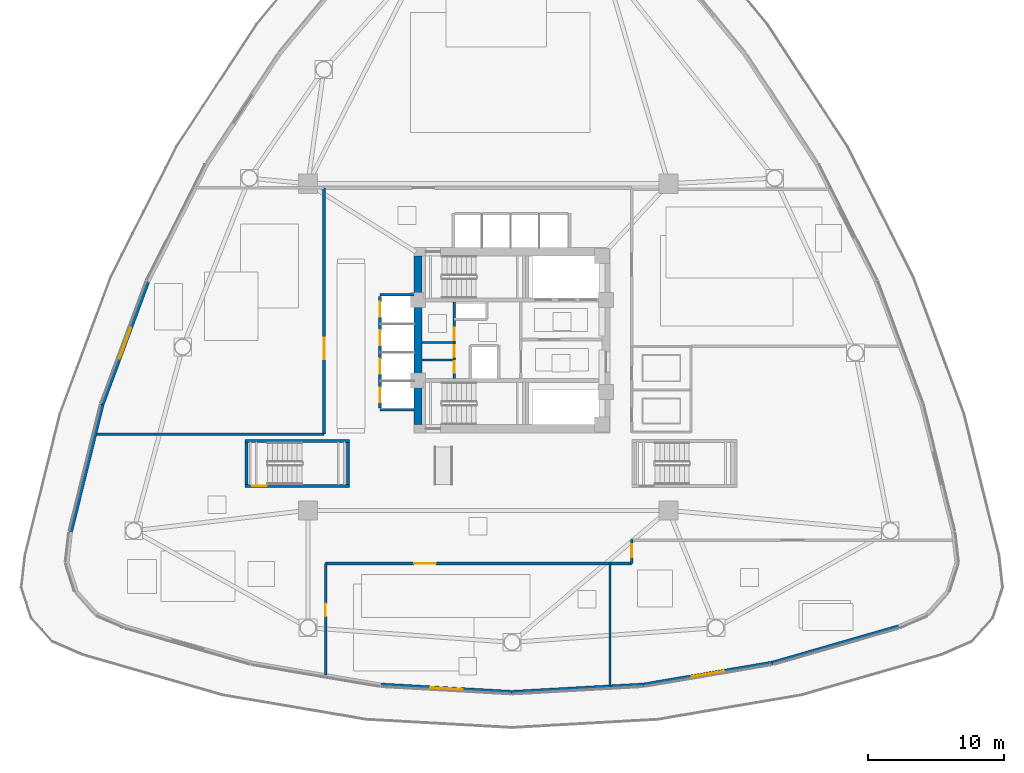
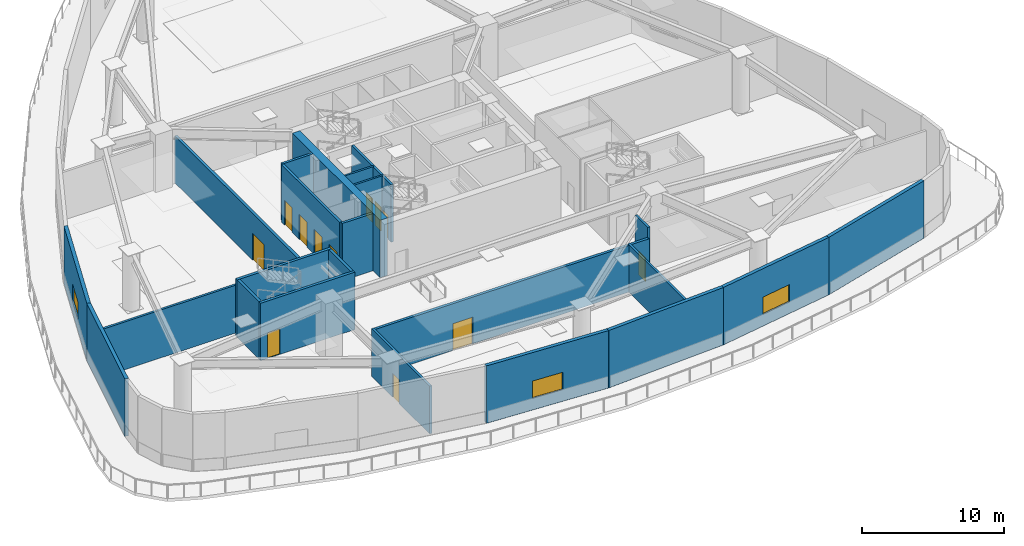
# One storey, part 3 of 13: 23 walls, 12 doors, 3 windows, 15 openings.
"""IFC4 building model written with IfcOpenShell, lengths in metres."""

from ifc_helpers import new_model, si_unit, direction, frame, frame_2d, origin, place, context, subcontext, project, spatial, rectangle, extrude, material, layer, layer_set, type_object, element, fill, save


model = new_model("IFC4")

# Units and contexts
model_context = context("Model", 3, precision=1e-05, world=origin(), true_north=direction((0.0, 1.0)))
body_context = subcontext(model_context, "Body", "Model", "MODEL_VIEW")
ifc_project = project(units=[si_unit("LENGTHUNIT", "METRE"), si_unit("AREAUNIT", "SQUARE_METRE"), si_unit("VOLUMEUNIT", "CUBIC_METRE"), si_unit("PLANEANGLEUNIT", "RADIAN"), si_unit("MASSUNIT", "GRAM", prefix="KILO")], contexts=[model_context])

# Site, building, storey
site_placement = place(None, origin())
site = spatial("IfcSite", under=ifc_project, at=site_placement, CompositionType="ELEMENT")
building_placement = place(site_placement, origin())
building = spatial("IfcBuilding", under=site, at=building_placement, Name="Tavelor Broadcast Tower", CompositionType="ELEMENT")
storey_placement = place(building_placement, frame((0.0, 0.0, 16.800048828125)))
storey = spatial("IfcBuildingStorey", under=building, at=storey_placement, Name="L03", CompositionType="ELEMENT", Elevation=16.800048828125)

# Wall
ifc_material_1 = material(Name="Concrete C60/75", Category="concrete")
ifc_layer_1 = layer(ifc_material_1, 0.60009765625)
ifc_layer_set_1 = layer_set([ifc_layer_1], Name="Concrete C60/75")
wall_type_1 = type_object("IfcWallType", Name="Core Shear Wall 600 mm", PredefinedType="SHEAR", material=ifc_layer_set_1)
wall_1_placement = place(storey_placement, frame((43.10009765625, 38.800048828125, 0.0), z_axis=(0.0, 0.0, 1.0), x_axis=(0.0, 1.0, 0.0)))
element("IfcWall", 1, at=wall_1_placement, inside=storey, type_object=wall_type_1, Name="L03 Central Core Shear Wall W", PredefinedType="SHEAR", context=body_context, shape_type="SweptSolid", body=[
    extrude(rectangle(XDim=12.39990234375, YDim=0.60009765625, at=frame_2d((6.199951171875, 0.0))), origin(), (0.0, 0.0, 1.0), 4.949951171875),
])

# Wall, openings, doors
ifc_material_2 = material(Name="Calcium Silicate Fire Board 180 mm", Category="gypsum")
ifc_layer_2 = layer(ifc_material_2, 0.179931640625)
ifc_layer_set_2 = layer_set([ifc_layer_2], Name="Calcium Silicate Fire Board 180 mm")
wall_type_2 = type_object("IfcWallType", Name="Fire-Rated Corridor Partition Wall 180 mm", PredefinedType="PARTITIONING", material=ifc_layer_set_2)
wall_2_placement = place(storey_placement, frame((45.75, 42.199951171875, 0.0), z_axis=(0.0, 0.0, 1.0), x_axis=(0.0, 1.0, 0.0)))
wall_2 = element("IfcWall", 2, at=wall_2_placement, inside=storey, type_object=wall_type_2, Name="L03 Core West Service East Wall", PredefinedType="PARTITIONING", context=body_context, shape_type="SweptSolid", body=[
    extrude(rectangle(XDim=5.60009765625, YDim=0.179931640625, at=frame_2d((2.800048828125, 0.0))), origin(), (0.0, 0.0, 1.0), 4.949951171875),
])
opening_1_placement = place(wall_2_placement, frame((0.419921875, 0.0, 0.0)))
opening_1 = element("IfcOpeningElement", 3, at=opening_1_placement, cuts=wall_2, Name="Opening DR36", PredefinedType="OPENING", context=body_context, shape_type="SweptSolid", body=[
    extrude(rectangle(XDim=0.85009765625, YDim=2.050048828125, at=frame_2d((0.425048828125, 1.02490234375))), frame((0.0, 0.10009765625, 0.0), z_axis=(0.0, -1.0, 0.0), x_axis=(1.0, 0.0, 0.0)), (0.0, 0.0, 1.0), 0.199951171875),
])
opening_2_placement = place(wall_2_placement, frame((1.570068359375, 0.0, 0.0)))
opening_2 = element("IfcOpeningElement", 4, at=opening_2_placement, cuts=wall_2, Name="Opening DR36", PredefinedType="OPENING", context=body_context, shape_type="SweptSolid", body=[
    extrude(rectangle(XDim=0.85009765625, YDim=2.050048828125, at=frame_2d((0.425048828125, 1.02490234375))), frame((0.0, 0.10009765625, 0.0), z_axis=(0.0, -1.0, 0.0), x_axis=(1.0, 0.0, 0.0)), (0.0, 0.0, 1.0), 0.199951171875),
])
opening_3_placement = place(wall_2_placement, frame((2.800048828125, 0.0, 0.0)))
opening_3 = element("IfcOpeningElement", 5, at=opening_3_placement, cuts=wall_2, Name="Opening DR32", PredefinedType="OPENING", context=body_context, shape_type="SweptSolid", body=[
    extrude(rectangle(XDim=0.89990234375, YDim=2.050048828125, at=frame_2d((0.449951171875, 1.02490234375))), frame((0.0, 0.10009765625, 0.0), z_axis=(0.0, -1.0, 0.0), x_axis=(1.0, 0.0, 0.0)), (0.0, 0.0, 1.0), 0.199951171875),
])
ifc_material_3 = material(Name="Timber Solid Core Hardwood", Category="wood")
door_type_1 = type_object("IfcDoorType", Name="Accessible Washroom Door 900x2050", OperationType="NOTDEFINED", PredefinedType="DOOR", material=ifc_material_3)
door_1_placement = place(opening_3_placement, origin())
door_1 = element("IfcDoor", 6, at=door_1_placement, inside=storey, type_object=door_type_1, Name="L03 Core Accessible WC Door", OperationType="SINGLE_SWING_LEFT", OverallHeight=2.050048828125, OverallWidth=0.89990234375, PredefinedType="DOOR", context=body_context, shape_type="SweptSolid", body=[
    extrude(rectangle(XDim=0.89990234375, YDim=2.050048828125, at=frame_2d((0.449951171875, 1.02490234375))), frame((0.0, 0.02490234375, 0.0), z_axis=(0.0, -1.0, 0.0), x_axis=(1.0, 0.0, 0.0)), (0.0, 0.0, 1.0), 0.050048828125),
])
fill(opening_3, door_1)
ifc_material_4 = material(Name="Steel S355", Category="steel")
door_type_2 = type_object("IfcDoorType", Name="Service Room Fire Door 850x2050", OperationType="NOTDEFINED", PredefinedType="DOOR", material=ifc_material_4)
door_2_placement = place(opening_1_placement, origin())
door_2 = element("IfcDoor", 7, at=door_2_placement, inside=storey, type_object=door_type_2, Name="L03 Core Medical Room Door", OperationType="SINGLE_SWING_LEFT", OverallHeight=2.050048828125, OverallWidth=0.85009765625, PredefinedType="DOOR", context=body_context, shape_type="SweptSolid", body=[
    extrude(rectangle(XDim=0.85009765625, YDim=2.050048828125, at=frame_2d((0.425048828125, 1.02490234375))), frame((0.0, 0.02490234375, 0.0), z_axis=(0.0, -1.0, 0.0), x_axis=(1.0, 0.0, 0.0)), (0.0, 0.0, 1.0), 0.050048828125),
])
fill(opening_1, door_2)
door_3_placement = place(opening_2_placement, origin())
door_3 = element("IfcDoor", 8, at=door_3_placement, inside=storey, type_object=door_type_2, Name="L03 Core Copy Room Door", OperationType="SINGLE_SWING_RIGHT", OverallHeight=2.050048828125, OverallWidth=0.85009765625, PredefinedType="DOOR", context=body_context, shape_type="SweptSolid", body=[
    extrude(rectangle(XDim=0.85009765625, YDim=2.050048828125, at=frame_2d((0.425048828125, 1.02490234375))), frame((0.0, 0.02490234375, 0.0), z_axis=(0.0, -1.0, 0.0), x_axis=(1.0, 0.0, 0.0)), (0.0, 0.0, 1.0), 0.050048828125),
])
fill(opening_2, door_3)

# Wall, opening, door
wall_3_placement = place(storey_placement, frame((36.300048828125, 20.402099609375, 0.0), z_axis=(0.0, 0.0, 1.0), x_axis=(0.0, 1.0, 0.0)))
wall_3 = element("IfcWall", 9, at=wall_3_placement, inside=storey, type_object=wall_type_2, Name="L03 South-West Wing Wall", PredefinedType="PARTITIONING", context=body_context, shape_type="SweptSolid", body=[
    extrude(rectangle(XDim=8.197998046875, YDim=0.179931640625, at=frame_2d((4.09912109375, 0.0))), origin(), (0.0, 0.0, 1.0), 4.125),
])
opening_4_placement = place(wall_3_placement, frame((4.300048828125, 0.0, 0.0)))
opening_4 = element("IfcOpeningElement", 10, at=opening_4_placement, cuts=wall_3, Name="Opening DR18", PredefinedType="OPENING", context=body_context, shape_type="SweptSolid", body=[
    extrude(rectangle(XDim=0.949951171875, YDim=2.050048828125, at=frame_2d((0.47509765625, 1.02490234375))), frame((0.0, 0.10009765625, 0.0), z_axis=(0.0, -1.0, 0.0), x_axis=(1.0, 0.0, 0.0)), (0.0, 0.0, 1.0), 0.199951171875),
])
door_type_3 = type_object("IfcDoorType", Name="Corridor Rated Compartment Door 950x2050", OperationType="NOTDEFINED", PredefinedType="DOOR", material=ifc_material_3)
door_4_placement = place(opening_4_placement, origin())
door_4 = element("IfcDoor", 11, at=door_4_placement, inside=storey, type_object=door_type_3, Name="L03 Catering Server Pantry Door", OperationType="SINGLE_SWING_RIGHT", OverallHeight=2.050048828125, OverallWidth=0.949951171875, PredefinedType="DOOR", context=body_context, shape_type="SweptSolid", body=[
    extrude(rectangle(XDim=0.949951171875, YDim=2.050048828125, at=frame_2d((0.47509765625, 1.02490234375))), frame((0.0, 0.02490234375, 0.0), z_axis=(0.0, -1.0, 0.0), x_axis=(1.0, 0.0, 0.0)), (0.0, 0.0, 1.0), 0.050048828125),
])
fill(opening_4, door_4)

wall_4_placement = place(storey_placement, frame((58.800048828125, 28.60009765625, 0.0), z_axis=(0.0, 0.0, 1.0), x_axis=(0.0, 1.0, 0.0)))
wall_4 = element("IfcWall", 12, at=wall_4_placement, inside=storey, type_object=wall_type_2, Name="L03 South-East Concourse Door Wall", PredefinedType="PARTITIONING", context=body_context, shape_type="SweptSolid", body=[
    extrude(rectangle(XDim=1.75, YDim=0.179931640625, at=frame_2d((0.875, 0.0))), origin(), (0.0, 0.0, 1.0), 4.949951171875),
])
opening_5_placement = place(wall_4_placement, frame((0.449951171875, 0.0, 0.0)))
opening_5 = element("IfcOpeningElement", 13, at=opening_5_placement, cuts=wall_4, Name="Opening DR18", PredefinedType="OPENING", context=body_context, shape_type="SweptSolid", body=[
    extrude(rectangle(XDim=0.949951171875, YDim=2.050048828125, at=frame_2d((0.47509765625, 1.02490234375))), frame((0.0, 0.10009765625, 0.0), z_axis=(0.0, -1.0, 0.0), x_axis=(1.0, 0.0, 0.0)), (0.0, 0.0, 1.0), 0.199951171875),
])
door_5_placement = place(opening_5_placement, origin())
door_5 = element("IfcDoor", 14, at=door_5_placement, inside=storey, type_object=door_type_3, Name="L03 Documentary Editing Office Concourse Door", OperationType="SINGLE_SWING_LEFT", OverallHeight=2.050048828125, OverallWidth=0.949951171875, PredefinedType="DOOR", context=body_context, shape_type="SweptSolid", body=[
    extrude(rectangle(XDim=0.949951171875, YDim=2.050048828125, at=frame_2d((0.47509765625, 1.02490234375))), frame((0.0, 0.02490234375, 0.0), z_axis=(0.0, -1.0, 0.0), x_axis=(1.0, 0.0, 0.0)), (0.0, 0.0, 1.0), 0.050048828125),
])
fill(opening_5, door_5)

# Walls
wall_5_placement = place(storey_placement, frame((57.199951171875, 19.57470703125, 0.0), z_axis=(0.0, 0.0, 1.0), x_axis=(0.0, 1.0, 0.0)))
element("IfcWall", 15, at=wall_5_placement, inside=storey, type_object=wall_type_2, Name="L03 South-East Wing West Wall", PredefinedType="PARTITIONING", context=body_context, shape_type="SweptSolid", body=[
    extrude(rectangle(XDim=9.025390625, YDim=0.179931640625, at=frame_2d((4.5126953125, 0.0))), origin(), (0.0, 0.0, 1.0), 4.125),
])
wall_6_placement = place(storey_placement, frame((19.3916015625, 38.10009765625, 0.0), z_axis=(0.0, 0.0, 1.0), x_axis=(1.0, 0.0, 0.0)))
element("IfcWall", 16, at=wall_6_placement, inside=storey, type_object=wall_type_2, Name="L03 West Hall South Wall", PredefinedType="PARTITIONING", context=body_context, shape_type="SweptSolid", body=[
    extrude(rectangle(XDim=16.808349609375, YDim=0.179931640625, at=frame_2d((8.404296875, 0.0))), origin(), (0.0, 0.0, 1.0), 4.125),
])

# Wall, opening, window
ifc_material_5 = material(Name="Precast Concrete C40/50", Category="concrete")
ifc_layer_3 = layer(ifc_material_5, 0.280029296875)
ifc_layer_set_3 = layer_set([ifc_layer_3], Name="Precast Concrete C40/50")
wall_type_3 = type_object("IfcWallType", Name="Insulated Precast Terracotta Facade Wall 280 mm", PredefinedType="STANDARD", material=ifc_layer_set_3)
wall_7_placement = place(storey_placement, frame((23.24951171875, 49.328369140625, 0.0), z_axis=(0.0, 0.0, 1.0), x_axis=(-0.347784668118, -0.937574436843, 0.0)))
wall_7 = element("IfcWall", 17, at=wall_7_placement, inside=storey, type_object=wall_type_3, Name="L03 Precast Terracotta Facade Wall 09", PredefinedType="STANDARD", context=body_context, shape_type="SweptSolid", body=[
    extrude(rectangle(XDim=9.686767578125, YDim=0.280029296875, at=frame_2d((4.84326171875, 0.0))), origin(), (0.0, 0.0, 1.0), 4.949951171875),
])
opening_6_placement = place(wall_7_placement, frame((3.643310546875, 0.0, 1.0)))
opening_6 = element("IfcOpeningElement", 18, at=opening_6_placement, cuts=wall_7, Name="Opening WN17", PredefinedType="OPENING", context=body_context, shape_type="SweptSolid", body=[
    extrude(rectangle(XDim=2.39990234375, YDim=1.5, at=frame_2d((1.199951171875, 0.75))), frame((0.0, 0.14990234375, 0.0), z_axis=(0.0, -1.0, 0.0), x_axis=(1.0, 0.0, 0.0)), (0.0, 0.0, 1.0), 0.300048828125),
])
ifc_material_6 = material(Name="Acoustic Double Glazing 28 mm", Category="glass")
window_type = type_object("IfcWindowType", Name="Broadcast Control Clerestory Window 2400x1500", PartitioningType="SINGLE_PANEL", PredefinedType="WINDOW", material=ifc_material_6)
window_1_placement = place(opening_6_placement, origin())
window_1 = element("IfcWindow", 19, at=window_1_placement, inside=storey, type_object=window_type, Name="L03 Broadcast Facade Window 09", OverallHeight=1.5, OverallWidth=2.39990234375, PartitioningType="SINGLE_PANEL", PredefinedType="WINDOW", context=body_context, shape_type="SweptSolid", body=[
    extrude(rectangle(XDim=2.39990234375, YDim=1.5, at=frame_2d((1.199951171875, 0.75))), frame((0.0, 0.030029296875, 0.0), z_axis=(0.0, -1.0, 0.0), x_axis=(1.0, 0.0, 0.0)), (0.0, 0.0, 1.0), 0.06005859375),
])
fill(opening_6, window_1)

# Wall
wall_8_placement = place(storey_placement, frame((19.889404296875, 40.27490234375, 0.0), z_axis=(0.0, 0.0, 1.0), x_axis=(-0.240548229613, -0.970637187228, 0.0)))
element("IfcWall", 20, at=wall_8_placement, inside=storey, type_object=wall_type_3, Name="L03 Precast Terracotta Facade Wall 10", PredefinedType="STANDARD", context=body_context, shape_type="SweptSolid", body=[
    extrude(rectangle(XDim=9.685546875, YDim=0.280029296875, at=frame_2d((4.8427734375, 0.0))), origin(), (0.0, 0.0, 1.0), 4.949951171875),
])

# Wall, opening, window
wall_9_placement = place(storey_placement, frame((40.343505859375, 19.672607421875, 0.0), z_axis=(0.0, 0.0, 1.0), x_axis=(0.998424944255, -0.056103749329, 0.0)))
wall_9 = element("IfcWall", 21, at=wall_9_placement, inside=storey, type_object=wall_type_3, Name="L03 Precast Terracotta Facade Wall 17", PredefinedType="STANDARD", context=body_context, shape_type="SweptSolid", body=[
    extrude(rectangle(XDim=9.6865234375, YDim=0.280029296875, at=frame_2d((4.84326171875, 0.0))), origin(), (0.0, 0.0, 1.0), 4.949951171875),
])
opening_7_placement = place(wall_9_placement, frame((3.643310546875, 0.0, 1.0)))
opening_7 = element("IfcOpeningElement", 22, at=opening_7_placement, cuts=wall_9, Name="Opening WN17", PredefinedType="OPENING", context=body_context, shape_type="SweptSolid", body=[
    extrude(rectangle(XDim=2.39990234375, YDim=1.5, at=frame_2d((1.199951171875, 0.75))), frame((0.0, 0.14990234375, 0.0), z_axis=(0.0, -1.0, 0.0), x_axis=(1.0, 0.0, 0.0)), (0.0, 0.0, 1.0), 0.300048828125),
])
window_2_placement = place(opening_7_placement, origin())
window_2 = element("IfcWindow", 23, at=window_2_placement, inside=storey, type_object=window_type, Name="L03 Broadcast Facade Window 17", OverallHeight=1.5, OverallWidth=2.39990234375, PartitioningType="SINGLE_PANEL", PredefinedType="WINDOW", context=body_context, shape_type="SweptSolid", body=[
    extrude(rectangle(XDim=2.39990234375, YDim=1.5, at=frame_2d((1.199951171875, 0.75))), frame((0.0, 0.030029296875, 0.0), z_axis=(0.0, -1.0, 0.0), x_axis=(1.0, 0.0, 0.0)), (0.0, 0.0, 1.0), 0.06005859375),
])
fill(opening_7, window_2)

# Wall
wall_10_placement = place(storey_placement, frame((49.985107421875, 19.129150390625, 0.0), z_axis=(0.0, 0.0, 1.0), x_axis=(0.998424944255, 0.056103749329, 0.0)))
element("IfcWall", 24, at=wall_10_placement, inside=storey, type_object=wall_type_3, Name="L03 Precast Terracotta Facade Wall 18", PredefinedType="STANDARD", context=body_context, shape_type="SweptSolid", body=[
    extrude(rectangle(XDim=9.6865234375, YDim=0.280029296875, at=frame_2d((4.84326171875, 0.0))), origin(), (0.0, 0.0, 1.0), 4.949951171875),
])

# Wall, opening, window
wall_11_placement = place(storey_placement, frame((59.626708984375, 19.669189453125, 0.0), z_axis=(0.0, 0.0, 1.0), x_axis=(0.985858844767, 0.167577857114, 0.0)))
wall_11 = element("IfcWall", 25, at=wall_11_placement, inside=storey, type_object=wall_type_3, Name="L03 Precast Terracotta Facade Wall 19", PredefinedType="STANDARD", context=body_context, shape_type="SweptSolid", body=[
    extrude(rectangle(XDim=9.686767578125, YDim=0.280029296875, at=frame_2d((4.84326171875, 0.0))), origin(), (0.0, 0.0, 1.0), 4.949951171875),
])
opening_8_placement = place(wall_11_placement, frame((3.643310546875, 0.0, 1.0)))
opening_8 = element("IfcOpeningElement", 26, at=opening_8_placement, cuts=wall_11, Name="Opening WN17", PredefinedType="OPENING", context=body_context, shape_type="SweptSolid", body=[
    extrude(rectangle(XDim=2.39990234375, YDim=1.5, at=frame_2d((1.199951171875, 0.75))), frame((0.0, 0.14990234375, 0.0), z_axis=(0.0, -1.0, 0.0), x_axis=(1.0, 0.0, 0.0)), (0.0, 0.0, 1.0), 0.300048828125),
])
window_3_placement = place(opening_8_placement, origin())
window_3 = element("IfcWindow", 27, at=window_3_placement, inside=storey, type_object=window_type, Name="L03 Broadcast Facade Window 19", OverallHeight=1.5, OverallWidth=2.39990234375, PartitioningType="SINGLE_PANEL", PredefinedType="WINDOW", context=body_context, shape_type="SweptSolid", body=[
    extrude(rectangle(XDim=2.39990234375, YDim=1.5, at=frame_2d((1.199951171875, 0.75))), frame((0.0, 0.030029296875, 0.0), z_axis=(0.0, -1.0, 0.0), x_axis=(1.0, 0.0, 0.0)), (0.0, 0.0, 1.0), 0.06005859375),
])
fill(opening_8, window_3)

# Walls
wall_12_placement = place(storey_placement, frame((69.147216796875, 21.285888671875, 0.0), z_axis=(0.0, 0.0, 1.0), x_axis=(0.960878305948, 0.276970903089, 0.0)))
element("IfcWall", 28, at=wall_12_placement, inside=storey, type_object=wall_type_3, Name="L03 Precast Terracotta Facade Wall 20", PredefinedType="STANDARD", context=body_context, shape_type="SweptSolid", body=[
    extrude(rectangle(XDim=9.685546875, YDim=0.280029296875, at=frame_2d((4.8427734375, 0.0))), origin(), (0.0, 0.0, 1.0), 4.949951171875),
])
ifc_material_7 = material(Name="Gypsum Acoustic Plasterboard 150 mm", Category="gypsum")
ifc_layer_4 = layer(ifc_material_7, 0.14990234375)
ifc_layer_set_4 = layer_set([ifc_layer_4], Name="Gypsum Acoustic Plasterboard 150 mm")
wall_type_4 = type_object("IfcWallType", Name="Interior Acoustic Partition Wall 150 mm", PredefinedType="PARTITIONING", material=ifc_layer_set_4)
for number, where, z_axis, x_axis, name in (
    (29, (43.39990234375, 43.550048828125, 0.0), (0.0, 0.0, 1.0), (1.0, 0.0, 0.0), "L03 Core Split Wall B1"),
    (30, (43.39990234375, 44.85009765625, 0.0), (0.0, 0.0, 1.0), (1.0, 0.0, 0.0), "L03 Core Split Wall B2"),
):
    element("IfcWall", number, at=place(storey_placement, frame(where, z_axis=z_axis, x_axis=x_axis)), inside=storey, type_object=wall_type_4, Name=name, PredefinedType="PARTITIONING", context=body_context, shape_type="SweptSolid", body=[
        extrude(rectangle(XDim=2.35009765625, YDim=0.14990234375, at=frame_2d((1.175048828125, 0.0))), origin(), (0.0, 0.0, 1.0), 4.949951171875),
    ])

# Wall, openings, doors
ifc_material_8 = material(Name="Concrete Blockwork 200 mm", Category="masonry")
ifc_layer_5 = layer(ifc_material_8, 0.199951171875)
ifc_layer_set_5 = layer_set([ifc_layer_5], Name="Concrete Blockwork 200 mm")
wall_type_5 = type_object("IfcWallType", Name="Lift Hoistway Rated Front Wall 200 mm", PredefinedType="PARTITIONING", material=ifc_layer_set_5)
wall_13_placement = place(storey_placement, frame((40.300048828125, 40.02001953125, 0.0), z_axis=(0.0, 0.0, 1.0), x_axis=(0.0, 1.0, 0.0)))
wall_13 = element("IfcWall", 31, at=wall_13_placement, inside=storey, type_object=wall_type_5, Name="L03 Low-Rise Lift Hoistway Front Wall", PredefinedType="PARTITIONING", context=body_context, shape_type="SweptSolid", body=[
    extrude(rectangle(XDim=8.2099609375, YDim=0.199951171875, at=frame_2d((4.10498046875, 0.0))), origin(), (0.0, 0.0, 1.0), 4.949951171875),
])
opening_9_placement = place(wall_13_placement, frame((0.405029296875, 0.0, 0.0)))
opening_9 = element("IfcOpeningElement", 32, at=opening_9_placement, cuts=wall_13, Name="Opening LD01", PredefinedType="OPENING", context=body_context, shape_type="SweptSolid", body=[
    extrude(rectangle(XDim=1.10009765625, YDim=2.14990234375, at=frame_2d((0.550048828125, 1.074951171875))), frame((0.0, 0.10986328125, 0.0), z_axis=(0.0, -1.0, 0.0), x_axis=(1.0, 0.0, 0.0)), (0.0, 0.0, 1.0), 0.219970703125),
])
opening_10_placement = place(wall_13_placement, frame((2.5048828125, 0.0, 0.0)))
opening_10 = element("IfcOpeningElement", 33, at=opening_10_placement, cuts=wall_13, Name="Opening LD01", PredefinedType="OPENING", context=body_context, shape_type="SweptSolid", body=[
    extrude(rectangle(XDim=1.10009765625, YDim=2.14990234375, at=frame_2d((0.550048828125, 1.074951171875))), frame((0.0, 0.10986328125, 0.0), z_axis=(0.0, -1.0, 0.0), x_axis=(1.0, 0.0, 0.0)), (0.0, 0.0, 1.0), 0.219970703125),
])
opening_11_placement = place(wall_13_placement, frame((4.60498046875, 0.0, 0.0)))
opening_11 = element("IfcOpeningElement", 34, at=opening_11_placement, cuts=wall_13, Name="Opening LD01", PredefinedType="OPENING", context=body_context, shape_type="SweptSolid", body=[
    extrude(rectangle(XDim=1.10009765625, YDim=2.14990234375, at=frame_2d((0.550048828125, 1.074951171875))), frame((0.0, 0.10986328125, 0.0), z_axis=(0.0, -1.0, 0.0), x_axis=(1.0, 0.0, 0.0)), (0.0, 0.0, 1.0), 0.219970703125),
])
opening_12_placement = place(wall_13_placement, frame((6.705078125, 0.0, 0.0)))
opening_12 = element("IfcOpeningElement", 35, at=opening_12_placement, cuts=wall_13, Name="Opening LD01", PredefinedType="OPENING", context=body_context, shape_type="SweptSolid", body=[
    extrude(rectangle(XDim=1.10009765625, YDim=2.14990234375, at=frame_2d((0.550048828125, 1.074951171875))), frame((0.0, 0.10986328125, 0.0), z_axis=(0.0, -1.0, 0.0), x_axis=(1.0, 0.0, 0.0)), (0.0, 0.0, 1.0), 0.219970703125),
])
ifc_material_9 = material(Name="Brushed Stainless Steel", Category="steel")
door_type_4 = type_object("IfcDoorType", Name="Passenger Lift Sliding Landing Door 1100x2150", OperationType="NOTDEFINED", PredefinedType="DOOR", material=ifc_material_9)
door_6_placement = place(opening_9_placement, origin())
door_6 = element("IfcDoor", 36, at=door_6_placement, inside=storey, type_object=door_type_4, Name="L03 Lift PLL1 Sliding Landing Door", OperationType="SLIDING_TO_LEFT", OverallHeight=2.14990234375, OverallWidth=1.10009765625, PredefinedType="DOOR", context=body_context, shape_type="SweptSolid", body=[
    extrude(rectangle(XDim=1.10009765625, YDim=2.14990234375, at=frame_2d((0.550048828125, 1.074951171875))), frame((0.0, 0.02490234375, 0.0), z_axis=(0.0, -1.0, 0.0), x_axis=(1.0, 0.0, 0.0)), (0.0, 0.0, 1.0), 0.050048828125),
])
fill(opening_9, door_6)
door_7_placement = place(opening_10_placement, origin())
door_7 = element("IfcDoor", 37, at=door_7_placement, inside=storey, type_object=door_type_4, Name="L03 Lift PLL2 Sliding Landing Door", OperationType="SLIDING_TO_RIGHT", OverallHeight=2.14990234375, OverallWidth=1.10009765625, PredefinedType="DOOR", context=body_context, shape_type="SweptSolid", body=[
    extrude(rectangle(XDim=1.10009765625, YDim=2.14990234375, at=frame_2d((0.550048828125, 1.074951171875))), frame((0.0, 0.02490234375, 0.0), z_axis=(0.0, -1.0, 0.0), x_axis=(1.0, 0.0, 0.0)), (0.0, 0.0, 1.0), 0.050048828125),
])
fill(opening_10, door_7)
door_8_placement = place(opening_11_placement, origin())
door_8 = element("IfcDoor", 38, at=door_8_placement, inside=storey, type_object=door_type_4, Name="L03 Lift PLL3 Sliding Landing Door", OperationType="SLIDING_TO_LEFT", OverallHeight=2.14990234375, OverallWidth=1.10009765625, PredefinedType="DOOR", context=body_context, shape_type="SweptSolid", body=[
    extrude(rectangle(XDim=1.10009765625, YDim=2.14990234375, at=frame_2d((0.550048828125, 1.074951171875))), frame((0.0, 0.02490234375, 0.0), z_axis=(0.0, -1.0, 0.0), x_axis=(1.0, 0.0, 0.0)), (0.0, 0.0, 1.0), 0.050048828125),
])
fill(opening_11, door_8)
door_9_placement = place(opening_12_placement, origin())
door_9 = element("IfcDoor", 39, at=door_9_placement, inside=storey, type_object=door_type_4, Name="L03 Lift PLL4 Sliding Landing Door", OperationType="SLIDING_TO_RIGHT", OverallHeight=2.14990234375, OverallWidth=1.10009765625, PredefinedType="DOOR", context=body_context, shape_type="SweptSolid", body=[
    extrude(rectangle(XDim=1.10009765625, YDim=2.14990234375, at=frame_2d((0.550048828125, 1.074951171875))), frame((0.0, 0.02490234375, 0.0), z_axis=(0.0, -1.0, 0.0), x_axis=(1.0, 0.0, 0.0)), (0.0, 0.0, 1.0), 0.050048828125),
])
fill(opening_12, door_9)

# Walls
ifc_layer_6 = layer(ifc_material_8, 0.199951171875)
ifc_layer_set_6 = layer_set([ifc_layer_6], Name="Concrete Blockwork 200 mm")
wall_type_6 = type_object("IfcWallType", Name="Lift and Riser Shaft Enclosure Wall 200 mm", PredefinedType="PARTITIONING", material=ifc_layer_set_6)
for number, where, z_axis, x_axis, name in (
    (40, (40.300048828125, 39.89990234375, 0.0), (0.0, 0.0, 1.0), (1.0, 0.0, 0.0), "L03 Low-Rise Lift Shaft South Wall"),
    (41, (40.300048828125, 48.35009765625, 0.0), (0.0, 0.0, 1.0), (1.0, 0.0, 0.0), "L03 Low-Rise Lift Shaft North Wall"),
):
    element("IfcWall", number, at=place(storey_placement, frame(where, z_axis=z_axis, x_axis=x_axis)), inside=storey, type_object=wall_type_6, Name=name, PredefinedType="PARTITIONING", context=body_context, shape_type="SweptSolid", body=[
        extrude(rectangle(XDim=2.5, YDim=0.199951171875, at=frame_2d((1.25, 0.0))), origin(), (0.0, 0.0, 1.0), 4.949951171875),
    ])

# Wall, opening, door
ifc_material_10 = material(Name="Concrete C40/50", Category="concrete")
ifc_layer_7 = layer(ifc_material_10, 0.219970703125)
ifc_layer_set_7 = layer_set([ifc_layer_7], Name="Concrete C40/50")
wall_type_7 = type_object("IfcWallType", Name="Structural Stairwell Shear Wall 220 mm", PredefinedType="SHEAR", material=ifc_layer_set_7)
wall_14_placement = place(storey_placement, frame((30.3798828125, 34.2900390625, 0.0), z_axis=(0.0, 0.0, 1.0), x_axis=(1.0, 0.0, 0.0)))
wall_14 = element("IfcWall", 42, at=wall_14_placement, inside=storey, type_object=wall_type_7, Name="L03 Stair ST3 Structural Shaft Wall S", PredefinedType="SHEAR", context=body_context, shape_type="SweptSolid", body=[
    extrude(rectangle(XDim=7.690185546875, YDim=0.219970703125, at=frame_2d((3.84521484375, 0.0))), origin(), (0.0, 0.0, 1.0), 4.949951171875),
])
opening_13_placement = place(wall_14_placement, frame((0.550048828125, 0.0, 0.0)))
opening_13 = element("IfcOpeningElement", 43, at=opening_13_placement, cuts=wall_14, Name="Opening DR11", PredefinedType="OPENING", context=body_context, shape_type="SweptSolid", body=[
    extrude(rectangle(XDim=1.050048828125, YDim=2.199951171875, at=frame_2d((0.52490234375, 1.10009765625))), frame((0.0, 0.1201171875, 0.0), z_axis=(0.0, -1.0, 0.0), x_axis=(1.0, 0.0, 0.0)), (0.0, 0.0, 1.0), 0.239990234375),
])
door_type_5 = type_object("IfcDoorType", Name="Stair Core Fire Escape Door 1050x2200", OperationType="NOTDEFINED", PredefinedType="DOOR", material=ifc_material_4)
door_10_placement = place(opening_13_placement, origin())
door_10 = element("IfcDoor", 44, at=door_10_placement, inside=storey, type_object=door_type_5, Name="L03 Stair ST3 Protected Fire Door", OperationType="SINGLE_SWING_RIGHT", OverallHeight=2.199951171875, OverallWidth=1.050048828125, PredefinedType="DOOR", context=body_context, shape_type="SweptSolid", body=[
    extrude(rectangle(XDim=1.050048828125, YDim=2.199951171875, at=frame_2d((0.52490234375, 1.10009765625))), frame((0.0, 0.02490234375, 0.0), z_axis=(0.0, -1.0, 0.0), x_axis=(1.0, 0.0, 0.0)), (0.0, 0.0, 1.0), 0.050048828125),
])
fill(opening_13, door_10)

# Walls
wall_15_placement = place(storey_placement, frame((30.3798828125, 37.610107421875, 0.0), z_axis=(0.0, 0.0, 1.0), x_axis=(1.0, 0.0, 0.0)))
element("IfcWall", 45, at=wall_15_placement, inside=storey, type_object=wall_type_7, Name="L03 Stair ST3 Structural Shaft Wall N", PredefinedType="SHEAR", context=body_context, shape_type="SweptSolid", body=[
    extrude(rectangle(XDim=7.690185546875, YDim=0.219970703125, at=frame_2d((3.84521484375, 0.0))), origin(), (0.0, 0.0, 1.0), 4.949951171875),
])
for number, where, z_axis, x_axis, name in (
    (46, (37.9599609375, 34.39990234375, 0.0), (0.0, 0.0, 1.0), (0.0, 1.0, 0.0), "L03 Stair ST3 Structural Shaft Wall E"),
    (47, (30.489990234375, 34.39990234375, 0.0), (0.0, 0.0, 1.0), (0.0, 1.0, 0.0), "L03 Stair ST3 Structural Shaft Wall W"),
):
    element("IfcWall", number, at=place(storey_placement, frame(where, z_axis=z_axis, x_axis=x_axis)), inside=storey, type_object=wall_type_7, Name=name, PredefinedType="SHEAR", context=body_context, shape_type="SweptSolid", body=[
        extrude(rectangle(XDim=3.10009765625, YDim=0.219970703125, at=frame_2d((1.550048828125, 0.0))), origin(), (0.0, 0.0, 1.0), 4.949951171875),
    ])

# Wall, opening, door
ifc_material_11 = material(Name="Masonry Blockwork 220 mm", Category="masonry")
ifc_layer_8 = layer(ifc_material_11, 0.219970703125)
ifc_layer_set_8 = layer_set([ifc_layer_8], Name="Masonry Blockwork 220 mm")
wall_type_8 = type_object("IfcWallType", Name="Studio Double-Leaf Acoustic Isolation Wall 220 mm", PredefinedType="PARTITIONING", material=ifc_layer_set_8)
wall_16_placement = place(storey_placement, frame((36.300048828125, 28.60009765625, 0.0), z_axis=(0.0, 0.0, 1.0), x_axis=(1.0, 0.0, 0.0)))
wall_16 = element("IfcWall", 48, at=wall_16_placement, inside=storey, type_object=wall_type_8, Name="L03 South Studio Concourse Wall", PredefinedType="PARTITIONING", context=body_context, shape_type="SweptSolid", body=[
    extrude(rectangle(XDim=22.5, YDim=0.219970703125, at=frame_2d((11.25, 0.0))), origin(), (0.0, 0.0, 1.0), 4.02490234375),
])
opening_14_placement = place(wall_16_placement, frame((6.5, 0.0, 0.0)))
opening_14 = element("IfcOpeningElement", 49, at=opening_14_placement, cuts=wall_16, Name="Opening DR27", PredefinedType="OPENING", context=body_context, shape_type="SweptSolid", body=[
    extrude(rectangle(XDim=1.60009765625, YDim=2.300048828125, at=frame_2d((0.800048828125, 1.14990234375))), frame((0.0, 0.1201171875, 0.0), z_axis=(0.0, -1.0, 0.0), x_axis=(1.0, 0.0, 0.0)), (0.0, 0.0, 1.0), 0.239990234375),
])
ifc_material_12 = material(Name="Steel Acoustic Composite", Category="steel")
door_type_6 = type_object("IfcDoorType", Name="Studio Acoustic Sound-Lock Double Door 1600x2300", OperationType="NOTDEFINED", PredefinedType="DOOR", material=ifc_material_12)
door_11_placement = place(opening_14_placement, origin())
door_11 = element("IfcDoor", 50, at=door_11_placement, inside=storey, type_object=door_type_6, Name="L03 Digital Media Newsroom Door", OperationType="SINGLE_SWING_LEFT", OverallHeight=2.300048828125, OverallWidth=1.60009765625, PredefinedType="DOOR", context=body_context, shape_type="SweptSolid", body=[
    extrude(rectangle(XDim=1.60009765625, YDim=2.300048828125, at=frame_2d((0.800048828125, 1.14990234375))), frame((0.0, 0.02490234375, 0.0), z_axis=(0.0, -1.0, 0.0), x_axis=(1.0, 0.0, 0.0)), (0.0, 0.0, 1.0), 0.050048828125),
])
fill(opening_14, door_11)

wall_17_placement = place(storey_placement, frame((36.199951171875, 38.10009765625, 0.0), z_axis=(0.0, 0.0, 1.0), x_axis=(0.0, 1.0, 0.0)))
wall_17 = element("IfcWall", 51, at=wall_17_placement, inside=storey, type_object=wall_type_8, Name="L03 West Hall Concourse Wall", PredefinedType="PARTITIONING", context=body_context, shape_type="SweptSolid", body=[
    extrude(rectangle(XDim=18.099853515625, YDim=0.219970703125, at=frame_2d((9.0498046875, 0.0))), origin(), (0.0, 0.0, 1.0), 4.02490234375),
])
opening_15_placement = place(wall_17_placement, frame((5.5, 0.0, 0.0)))
opening_15 = element("IfcOpeningElement", 52, at=opening_15_placement, cuts=wall_17, Name="Opening DR27", PredefinedType="OPENING", context=body_context, shape_type="SweptSolid", body=[
    extrude(rectangle(XDim=1.60009765625, YDim=2.300048828125, at=frame_2d((0.800048828125, 1.14990234375))), frame((0.0, 0.1201171875, 0.0), z_axis=(0.0, -1.0, 0.0), x_axis=(1.0, 0.0, 0.0)), (0.0, 0.0, 1.0), 0.239990234375),
])
door_12_placement = place(opening_15_placement, origin())
door_12 = element("IfcDoor", 53, at=door_12_placement, inside=storey, type_object=door_type_6, Name="L03 Press Briefing Conference Hall Door", OperationType="SINGLE_SWING_LEFT", OverallHeight=2.300048828125, OverallWidth=1.60009765625, PredefinedType="DOOR", context=body_context, shape_type="SweptSolid", body=[
    extrude(rectangle(XDim=1.60009765625, YDim=2.300048828125, at=frame_2d((0.800048828125, 1.14990234375))), frame((0.0, 0.02490234375, 0.0), z_axis=(0.0, -1.0, 0.0), x_axis=(1.0, 0.0, 0.0)), (0.0, 0.0, 1.0), 0.050048828125),
])
fill(opening_15, door_12)

save(model, "model.ifc")
